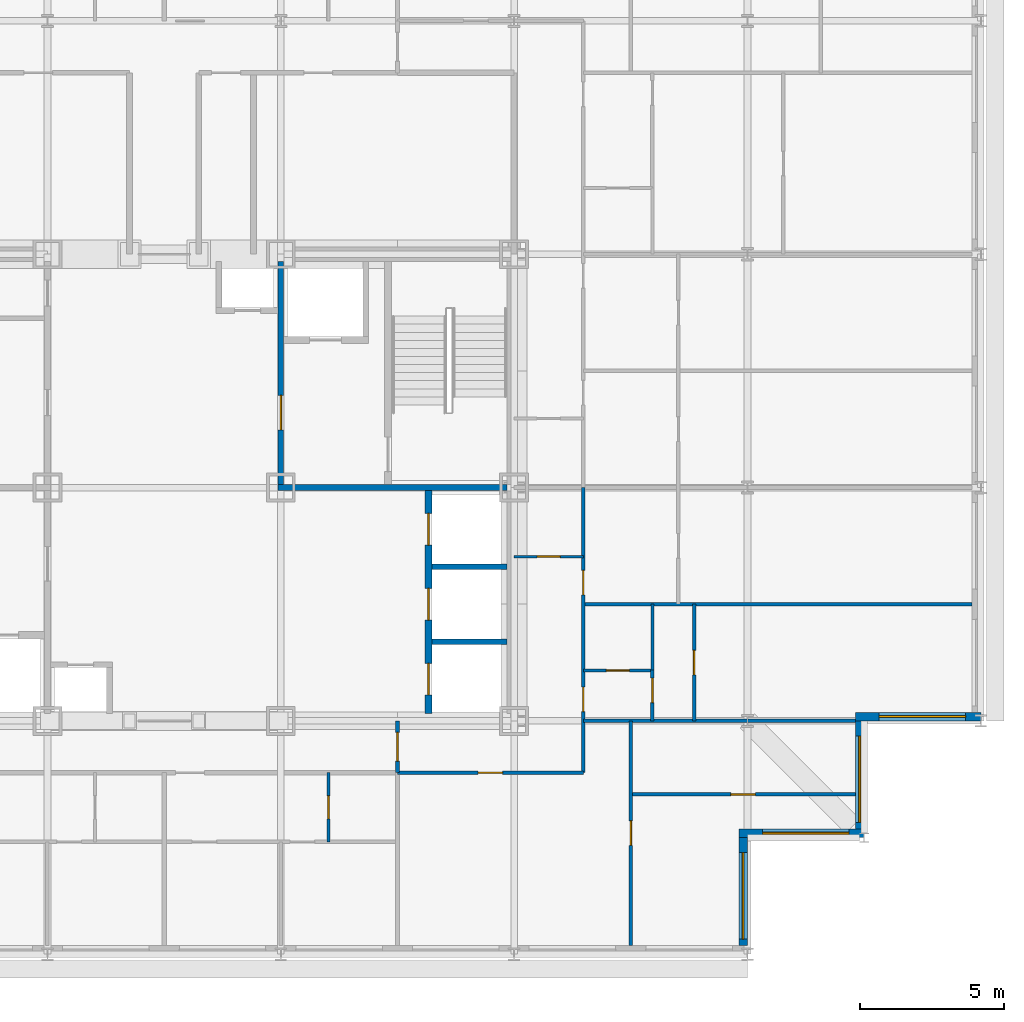
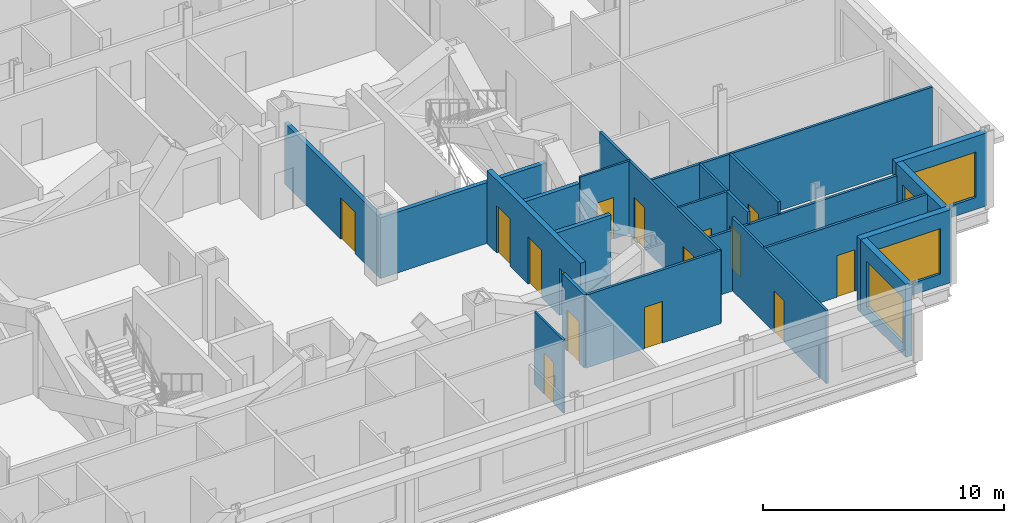
# One storey, part 10 of 16: 22 walls, 15 doors, 4 windows, 19 openings.
"""IFC4 building model written with IfcOpenShell, lengths in metres."""

from ifc_helpers import new_model, si_unit, direction, frame, frame_2d, origin, place, context, subcontext, project, spatial, rectangle, extrude, material, layer, layer_set, type_object, element, fill, save


model = new_model("IFC4")

# Units and contexts
model_context = context("Model", 3, precision=1e-05, world=origin(), true_north=direction((0.0, 1.0)))
body_context = subcontext(model_context, "Body", "Model", "MODEL_VIEW")
ifc_project = project(units=[si_unit("LENGTHUNIT", "METRE"), si_unit("AREAUNIT", "SQUARE_METRE"), si_unit("VOLUMEUNIT", "CUBIC_METRE"), si_unit("PLANEANGLEUNIT", "RADIAN"), si_unit("MASSUNIT", "GRAM", prefix="KILO")], contexts=[model_context])

# Site, building, storey
site_placement = place(None, origin())
site = spatial("IfcSite", under=ifc_project, at=site_placement, CompositionType="ELEMENT")
building_placement = place(site_placement, origin())
building = spatial("IfcBuilding", under=site, at=building_placement, Name="Kopane Lantern Tower", CompositionType="ELEMENT")
storey_placement = place(building_placement, frame((0.0, 0.0, 258.0)))
storey = spatial("IfcBuildingStorey", under=building, at=storey_placement, Name="L66", CompositionType="ELEMENT", Elevation=258.0)

# Wall, openings, doors
ifc_material_1 = material(Name="Gypsum board on steel studs", Category="steel")
ifc_layer_1 = layer(ifc_material_1, 0.1201171875)
ifc_layer_set_1 = layer_set([ifc_layer_1], Name="APARTMENT INTERNAL WALL 120")
wall_type_1 = type_object("IfcWallType", Name="APARTMENT INTERNAL WALL 120", PredefinedType="PARTITIONING", material=ifc_layer_set_1)
wall_1_placement = place(storey_placement, frame((42.89990234375, 22.5, 0.0), z_axis=(0.0, 0.0, 1.0), x_axis=(0.0, 1.0, 0.0)))
wall_1 = element("IfcWall", 1, at=wall_1_placement, inside=storey, type_object=wall_type_1, Name="Apartment Internal Wall 120 L66", PredefinedType="PARTITIONING", context=body_context, shape_type="SweptSolid", body=[
    extrude(rectangle(XDim=9.89990234375, YDim=0.1201171875, at=frame_2d((4.949951171875, 0.0))), origin(), (0.0, 0.0, 1.0), 3.68994140625),
])
opening_1_placement = place(wall_1_placement, frame((2.125, 0.0, 0.0)))
opening_1 = element("IfcOpeningElement", 2, at=opening_1_placement, cuts=wall_1, Name="Opening L66-053", PredefinedType="OPENING", context=body_context, shape_type="SweptSolid", body=[
    extrude(rectangle(XDim=0.85009765625, YDim=2.10009765625, at=frame_2d((0.425048828125, 1.050048828125))), frame((0.0, 0.070068359375, 0.0), z_axis=(0.0, -1.0, 0.0), x_axis=(1.0, 0.0, 0.0)), (0.0, 0.0, 1.0), 0.14013671875),
])
opening_2_placement = place(wall_1_placement, frame((6.175048828125, 0.0, 0.0)))
opening_2 = element("IfcOpeningElement", 3, at=opening_2_placement, cuts=wall_1, Name="Opening L66-054", PredefinedType="OPENING", context=body_context, shape_type="SweptSolid", body=[
    extrude(rectangle(XDim=0.85009765625, YDim=2.10009765625, at=frame_2d((0.425048828125, 1.050048828125))), frame((0.0, 0.070068359375, 0.0), z_axis=(0.0, -1.0, 0.0), x_axis=(1.0, 0.0, 0.0)), (0.0, 0.0, 1.0), 0.14013671875),
])
ifc_material_2 = material(Name="Timber door set", Category="wood")
door_type_1 = type_object("IfcDoorType", Name="DOOR D4 850x2100", OperationType="SINGLE_SWING_LEFT", PredefinedType="DOOR", material=ifc_material_2)
door_1_placement = place(opening_1_placement, origin())
door_1 = element("IfcDoor", 4, at=door_1_placement, inside=storey, type_object=door_type_1, Name="Door L66-053", OperationType="SINGLE_SWING_RIGHT", OverallHeight=2.10009765625, OverallWidth=0.85009765625, PredefinedType="DOOR", context=body_context, shape_type="SweptSolid", body=[
    extrude(rectangle(XDim=0.85009765625, YDim=2.10009765625, at=frame_2d((0.425048828125, 1.050048828125))), frame((0.0, 0.02490234375, 0.0), z_axis=(0.0, -1.0, 0.0), x_axis=(1.0, 0.0, 0.0)), (0.0, 0.0, 1.0), 0.050048828125),
])
fill(opening_1, door_1)
door_2_placement = place(opening_2_placement, origin())
door_2 = element("IfcDoor", 5, at=door_2_placement, inside=storey, type_object=door_type_1, Name="Door L66-054", OperationType="SINGLE_SWING_RIGHT", OverallHeight=2.10009765625, OverallWidth=0.85009765625, PredefinedType="DOOR", context=body_context, shape_type="SweptSolid", body=[
    extrude(rectangle(XDim=0.85009765625, YDim=2.10009765625, at=frame_2d((0.425048828125, 1.050048828125))), frame((0.0, 0.02490234375, 0.0), z_axis=(0.0, -1.0, 0.0), x_axis=(1.0, 0.0, 0.0)), (0.0, 0.0, 1.0), 0.050048828125),
])
fill(opening_2, door_2)

# Wall, opening, door
wall_2_placement = place(storey_placement, frame((36.449951171875, 22.5, 0.0), z_axis=(0.0, 0.0, 1.0), x_axis=(1.0, 0.0, 0.0)))
wall_2 = element("IfcWall", 6, at=wall_2_placement, inside=storey, type_object=wall_type_1, Name="Apartment Internal Wall 120 L66", PredefinedType="PARTITIONING", context=body_context, shape_type="SweptSolid", body=[
    extrude(rectangle(XDim=6.449951171875, YDim=0.1201171875, at=frame_2d((3.22509765625, 0.0))), origin(), (0.0, 0.0, 1.0), 3.68994140625),
])
opening_3_placement = place(wall_2_placement, frame((2.800048828125, 0.0, 0.0)))
opening_3 = element("IfcOpeningElement", 7, at=opening_3_placement, cuts=wall_2, Name="Opening L66-050", PredefinedType="OPENING", context=body_context, shape_type="SweptSolid", body=[
    extrude(rectangle(XDim=0.85009765625, YDim=2.10009765625, at=frame_2d((0.425048828125, 1.050048828125))), frame((0.0, 0.070068359375, 0.0), z_axis=(0.0, -1.0, 0.0), x_axis=(1.0, 0.0, 0.0)), (0.0, 0.0, 1.0), 0.14013671875),
])
door_3_placement = place(opening_3_placement, origin())
door_3 = element("IfcDoor", 8, at=door_3_placement, inside=storey, type_object=door_type_1, Name="Door L66-050", OperationType="SINGLE_SWING_RIGHT", OverallHeight=2.10009765625, OverallWidth=0.85009765625, PredefinedType="DOOR", context=body_context, shape_type="SweptSolid", body=[
    extrude(rectangle(XDim=0.85009765625, YDim=2.10009765625, at=frame_2d((0.425048828125, 1.050048828125))), frame((0.0, 0.02490234375, 0.0), z_axis=(0.0, -1.0, 0.0), x_axis=(1.0, 0.0, 0.0)), (0.0, 0.0, 1.0), 0.050048828125),
])
fill(opening_3, door_3)

# Wall
wall_3_placement = place(storey_placement, frame((42.89990234375, 24.300048828125, 0.0), z_axis=(0.0, 0.0, 1.0), x_axis=(1.0, 0.0, 0.0)))
element("IfcWall", 9, at=wall_3_placement, inside=storey, type_object=wall_type_1, Name="Apartment Internal Wall 120 L66", PredefinedType="PARTITIONING", context=body_context, shape_type="SweptSolid", body=[
    extrude(rectangle(XDim=9.4501953125, YDim=0.1201171875, at=frame_2d((4.72509765625, 0.0))), origin(), (0.0, 0.0, 1.0), 3.077880859375),
])

# Wall, opening, door
wall_4_placement = place(storey_placement, frame((44.550048828125, 16.5, 0.0), z_axis=(0.0, 0.0, 1.0), x_axis=(0.0, 1.0, 0.0)))
wall_4 = element("IfcWall", 10, at=wall_4_placement, inside=storey, type_object=wall_type_1, Name="Apartment Internal Wall 120 L66", PredefinedType="PARTITIONING", context=body_context, shape_type="SweptSolid", body=[
    extrude(rectangle(XDim=7.800048828125, YDim=0.1201171875, at=frame_2d((3.89990234375, 0.0))), origin(), (0.0, 0.0, 1.0), 3.68994140625),
])
opening_4_placement = place(wall_4_placement, frame((3.47509765625, 0.0, 0.0)))
opening_4 = element("IfcOpeningElement", 11, at=opening_4_placement, cuts=wall_4, Name="Opening L66-051", PredefinedType="OPENING", context=body_context, shape_type="SweptSolid", body=[
    extrude(rectangle(XDim=0.85009765625, YDim=2.10009765625, at=frame_2d((0.425048828125, 1.050048828125))), frame((0.0, 0.070068359375, 0.0), z_axis=(0.0, -1.0, 0.0), x_axis=(1.0, 0.0, 0.0)), (0.0, 0.0, 1.0), 0.14013671875),
])
door_4_placement = place(opening_4_placement, origin())
door_4 = element("IfcDoor", 12, at=door_4_placement, inside=storey, type_object=door_type_1, Name="Door L66-051", OperationType="SINGLE_SWING_LEFT", OverallHeight=2.10009765625, OverallWidth=0.85009765625, PredefinedType="DOOR", context=body_context, shape_type="SweptSolid", body=[
    extrude(rectangle(XDim=0.85009765625, YDim=2.10009765625, at=frame_2d((0.425048828125, 1.050048828125))), frame((0.0, 0.02490234375, 0.0), z_axis=(0.0, -1.0, 0.0), x_axis=(1.0, 0.0, 0.0)), (0.0, 0.0, 1.0), 0.050048828125),
])
fill(opening_4, door_4)

# Wall
wall_5_placement = place(storey_placement, frame((42.89990234375, 28.35009765625, 0.0), z_axis=(0.0, 0.0, 1.0), x_axis=(1.0, 0.0, 0.0)))
element("IfcWall", 13, at=wall_5_placement, inside=storey, type_object=wall_type_1, Name="Apartment Internal Wall 120 L66", PredefinedType="PARTITIONING", context=body_context, shape_type="SweptSolid", body=[
    extrude(rectangle(XDim=13.5, YDim=0.1201171875, at=frame_2d((6.75, 0.0))), origin(), (0.0, 0.0, 1.0), 3.68994140625),
])

# Wall, opening, door
wall_6_placement = place(storey_placement, frame((45.300048828125, 24.300048828125, 0.0), z_axis=(0.0, 0.0, 1.0), x_axis=(0.0, 1.0, 0.0)))
wall_6 = element("IfcWall", 14, at=wall_6_placement, inside=storey, type_object=wall_type_1, Name="Apartment Internal Wall 120 L66", PredefinedType="PARTITIONING", context=body_context, shape_type="SweptSolid", body=[
    extrude(rectangle(XDim=1.760009765625, YDim=0.1201171875, at=frame_2d((0.8798828125, 0.0))), origin(), (0.0, 0.0, 1.0), 3.68994140625),
])
opening_5_placement = place(wall_6_placement, frame((0.635009765625, 0.0, 0.0)))
opening_5 = element("IfcOpeningElement", 15, at=opening_5_placement, cuts=wall_6, Name="Opening L66-067", PredefinedType="OPENING", context=body_context, shape_type="SweptSolid", body=[
    extrude(rectangle(XDim=0.85009765625, YDim=2.10009765625, at=frame_2d((0.425048828125, 1.050048828125))), frame((0.0, 0.070068359375, 0.0), z_axis=(0.0, -1.0, 0.0), x_axis=(1.0, 0.0, 0.0)), (0.0, 0.0, 1.0), 0.14013671875),
])
door_5_placement = place(opening_5_placement, origin())
door_5 = element("IfcDoor", 16, at=door_5_placement, inside=storey, type_object=door_type_1, Name="Door L66-067", OperationType="SINGLE_SWING_RIGHT", OverallHeight=2.10009765625, OverallWidth=0.85009765625, PredefinedType="DOOR", context=body_context, shape_type="SweptSolid", body=[
    extrude(rectangle(XDim=0.85009765625, YDim=2.10009765625, at=frame_2d((0.425048828125, 1.050048828125))), frame((0.0, 0.02490234375, 0.0), z_axis=(0.0, -1.0, 0.0), x_axis=(1.0, 0.0, 0.0)), (0.0, 0.0, 1.0), 0.050048828125),
])
fill(opening_5, door_5)

wall_7_placement = place(storey_placement, frame((44.550048828125, 21.75, 0.0), z_axis=(0.0, 0.0, 1.0), x_axis=(1.0, 0.0, 0.0)))
wall_7 = element("IfcWall", 17, at=wall_7_placement, inside=storey, type_object=wall_type_1, Name="Apartment Internal Wall 120 L66", PredefinedType="PARTITIONING", context=body_context, shape_type="SweptSolid", body=[
    extrude(rectangle(XDim=7.800048828125, YDim=0.1201171875, at=frame_2d((3.89990234375, 0.0))), origin(), (0.0, 0.0, 1.0), 3.68994140625),
])
opening_6_placement = place(wall_7_placement, frame((3.47509765625, 0.0, 0.0)))
opening_6 = element("IfcOpeningElement", 18, at=opening_6_placement, cuts=wall_7, Name="Opening L66-076", PredefinedType="OPENING", context=body_context, shape_type="SweptSolid", body=[
    extrude(rectangle(XDim=0.85009765625, YDim=2.10009765625, at=frame_2d((0.425048828125, 1.050048828125))), frame((0.0, 0.070068359375, 0.0), z_axis=(0.0, -1.0, 0.0), x_axis=(1.0, 0.0, 0.0)), (0.0, 0.0, 1.0), 0.14013671875),
])
door_6_placement = place(opening_6_placement, origin())
door_6 = element("IfcDoor", 19, at=door_6_placement, inside=storey, type_object=door_type_1, Name="Door L66-076", OperationType="SINGLE_SWING_LEFT", OverallHeight=2.10009765625, OverallWidth=0.85009765625, PredefinedType="DOOR", context=body_context, shape_type="SweptSolid", body=[
    extrude(rectangle(XDim=0.85009765625, YDim=2.10009765625, at=frame_2d((0.425048828125, 1.050048828125))), frame((0.0, 0.02490234375, 0.0), z_axis=(0.0, -1.0, 0.0), x_axis=(1.0, 0.0, 0.0)), (0.0, 0.0, 1.0), 0.050048828125),
])
fill(opening_6, door_6)

wall_8_placement = place(storey_placement, frame((46.75, 24.300048828125, 0.0), z_axis=(0.0, 0.0, 1.0), x_axis=(0.0, 1.0, 0.0)))
wall_8 = element("IfcWall", 20, at=wall_8_placement, inside=storey, type_object=wall_type_1, Name="Apartment Internal Wall 120 L66", PredefinedType="PARTITIONING", context=body_context, shape_type="SweptSolid", body=[
    extrude(rectangle(XDim=4.050048828125, YDim=0.1201171875, at=frame_2d((2.02490234375, 0.0))), origin(), (0.0, 0.0, 1.0), 3.68994140625),
])
opening_7_placement = place(wall_8_placement, frame((1.60009765625, 0.0, 0.0)))
opening_7 = element("IfcOpeningElement", 21, at=opening_7_placement, cuts=wall_8, Name="Opening L66-077", PredefinedType="OPENING", context=body_context, shape_type="SweptSolid", body=[
    extrude(rectangle(XDim=0.85009765625, YDim=2.10009765625, at=frame_2d((0.425048828125, 1.050048828125))), frame((0.0, 0.070068359375, 0.0), z_axis=(0.0, -1.0, 0.0), x_axis=(1.0, 0.0, 0.0)), (0.0, 0.0, 1.0), 0.14013671875),
])
door_7_placement = place(opening_7_placement, origin())
door_7 = element("IfcDoor", 22, at=door_7_placement, inside=storey, type_object=door_type_1, Name="Door L66-077", OperationType="SINGLE_SWING_LEFT", OverallHeight=2.10009765625, OverallWidth=0.85009765625, PredefinedType="DOOR", context=body_context, shape_type="SweptSolid", body=[
    extrude(rectangle(XDim=0.85009765625, YDim=2.10009765625, at=frame_2d((0.425048828125, 1.050048828125))), frame((0.0, 0.02490234375, 0.0), z_axis=(0.0, -1.0, 0.0), x_axis=(1.0, 0.0, 0.0)), (0.0, 0.0, 1.0), 0.050048828125),
])
fill(opening_7, door_7)

ifc_material_3 = material(Name="Moisture-resistant board on steel studs", Category="steel")
ifc_layer_2 = layer(ifc_material_3, 0.10009765625)
ifc_layer_set_2 = layer_set([ifc_layer_2], Name="BATHROOM WALL 100")
wall_type_2 = type_object("IfcWallType", Name="BATHROOM WALL 100", PredefinedType="PARTITIONING", material=ifc_layer_set_2)
wall_9_placement = place(storey_placement, frame((34.050048828125, 22.5, 0.0), z_axis=(0.0, 0.0, 1.0), x_axis=(0.0, -1.0, 0.0)))
wall_9 = element("IfcWall", 23, at=wall_9_placement, inside=storey, type_object=wall_type_2, Name="Bathroom Wall 100 L66", PredefinedType="PARTITIONING", context=body_context, shape_type="SweptSolid", body=[
    extrude(rectangle(XDim=2.39990234375, YDim=0.10009765625, at=frame_2d((1.199951171875, 0.0))), origin(), (0.0, 0.0, 1.0), 3.68994140625),
])
opening_8_placement = place(wall_9_placement, frame((0.800048828125, 0.0, 0.0)))
opening_8 = element("IfcOpeningElement", 24, at=opening_8_placement, cuts=wall_9, Name="Opening L66-017", PredefinedType="OPENING", context=body_context, shape_type="SweptSolid", body=[
    extrude(rectangle(XDim=0.800048828125, YDim=2.10009765625, at=frame_2d((0.39990234375, 1.050048828125))), frame((0.0, 0.06005859375, 0.0), z_axis=(0.0, -1.0, 0.0), x_axis=(1.0, 0.0, 0.0)), (0.0, 0.0, 1.0), 0.1201171875),
])
ifc_material_4 = material(Name="Timber door set", Category="wood")
door_type_2 = type_object("IfcDoorType", Name="DOOR D2 800x2100", OperationType="SINGLE_SWING_LEFT", PredefinedType="DOOR", material=ifc_material_4)
door_8_placement = place(opening_8_placement, origin())
door_8 = element("IfcDoor", 25, at=door_8_placement, inside=storey, type_object=door_type_2, Name="Door L66-017", OperationType="SINGLE_SWING_LEFT", OverallHeight=2.10009765625, OverallWidth=0.800048828125, PredefinedType="DOOR", context=body_context, shape_type="SweptSolid", body=[
    extrude(rectangle(XDim=0.800048828125, YDim=2.10009765625, at=frame_2d((0.39990234375, 1.050048828125))), frame((0.0, 0.02490234375, 0.0), z_axis=(0.0, -1.0, 0.0), x_axis=(1.0, 0.0, 0.0)), (0.0, 0.0, 1.0), 0.050048828125),
])
fill(opening_8, door_8)

wall_10_placement = place(storey_placement, frame((40.5, 30.0, 0.0), z_axis=(0.0, 0.0, 1.0), x_axis=(1.0, 0.0, 0.0)))
wall_10 = element("IfcWall", 26, at=wall_10_placement, inside=storey, type_object=wall_type_2, Name="Bathroom Wall 100 L66", PredefinedType="PARTITIONING", context=body_context, shape_type="SweptSolid", body=[
    extrude(rectangle(XDim=2.39990234375, YDim=0.10009765625, at=frame_2d((1.199951171875, 0.0))), origin(), (0.0, 0.0, 1.0), 3.68994140625),
])
opening_9_placement = place(wall_10_placement, frame((0.800048828125, 0.0, 0.0)))
opening_9 = element("IfcOpeningElement", 27, at=opening_9_placement, cuts=wall_10, Name="Opening L66-049", PredefinedType="OPENING", context=body_context, shape_type="SweptSolid", body=[
    extrude(rectangle(XDim=0.800048828125, YDim=2.10009765625, at=frame_2d((0.39990234375, 1.050048828125))), frame((0.0, 0.06005859375, 0.0), z_axis=(0.0, -1.0, 0.0), x_axis=(1.0, 0.0, 0.0)), (0.0, 0.0, 1.0), 0.1201171875),
])
door_9_placement = place(opening_9_placement, origin())
door_9 = element("IfcDoor", 28, at=door_9_placement, inside=storey, type_object=door_type_2, Name="Door L66-049", OperationType="SINGLE_SWING_LEFT", OverallHeight=2.10009765625, OverallWidth=0.800048828125, PredefinedType="DOOR", context=body_context, shape_type="SweptSolid", body=[
    extrude(rectangle(XDim=0.800048828125, YDim=2.10009765625, at=frame_2d((0.39990234375, 1.050048828125))), frame((0.0, 0.02490234375, 0.0), z_axis=(0.0, -1.0, 0.0), x_axis=(1.0, 0.0, 0.0)), (0.0, 0.0, 1.0), 0.050048828125),
])
fill(opening_9, door_9)

wall_11_placement = place(storey_placement, frame((42.89990234375, 26.050048828125, 0.0), z_axis=(0.0, 0.0, 1.0), x_axis=(1.0, 0.0, 0.0)))
wall_11 = element("IfcWall", 29, at=wall_11_placement, inside=storey, type_object=wall_type_2, Name="Bathroom Wall 100 L66", PredefinedType="PARTITIONING", context=body_context, shape_type="SweptSolid", body=[
    extrude(rectangle(XDim=2.400146484375, YDim=0.10009765625, at=frame_2d((1.2001953125, 0.0))), origin(), (0.0, 0.0, 1.0), 3.68994140625),
])
opening_10_placement = place(wall_11_placement, frame((0.800048828125, 0.0, 0.0)))
opening_10 = element("IfcOpeningElement", 30, at=opening_10_placement, cuts=wall_11, Name="Opening L66-052", PredefinedType="OPENING", context=body_context, shape_type="SweptSolid", body=[
    extrude(rectangle(XDim=0.800048828125, YDim=2.10009765625, at=frame_2d((0.39990234375, 1.050048828125))), frame((0.0, 0.06005859375, 0.0), z_axis=(0.0, -1.0, 0.0), x_axis=(1.0, 0.0, 0.0)), (0.0, 0.0, 1.0), 0.1201171875),
])
door_10_placement = place(opening_10_placement, origin())
door_10 = element("IfcDoor", 31, at=door_10_placement, inside=storey, type_object=door_type_2, Name="Door L66-052", OperationType="SINGLE_SWING_LEFT", OverallHeight=2.10009765625, OverallWidth=0.800048828125, PredefinedType="DOOR", context=body_context, shape_type="SweptSolid", body=[
    extrude(rectangle(XDim=0.800048828125, YDim=2.10009765625, at=frame_2d((0.39990234375, 1.050048828125))), frame((0.0, 0.02490234375, 0.0), z_axis=(0.0, -1.0, 0.0), x_axis=(1.0, 0.0, 0.0)), (0.0, 0.0, 1.0), 0.050048828125),
])
fill(opening_10, door_10)

# Wall
wall_12_placement = place(storey_placement, frame((45.300048828125, 26.050048828125, 0.0), z_axis=(0.0, 0.0, 1.0), x_axis=(0.0, 1.0, 0.0)))
element("IfcWall", 32, at=wall_12_placement, inside=storey, type_object=wall_type_2, Name="Bathroom Wall 100 L66", PredefinedType="PARTITIONING", context=body_context, shape_type="SweptSolid", body=[
    extrude(rectangle(XDim=2.300048828125, YDim=0.10009765625, at=frame_2d((1.14990234375, 0.0))), origin(), (0.0, 0.0, 1.0), 3.68994140625),
])

# Wall, openings, doors
ifc_material_5 = material(Name="Gypsum shaft wall EI 120", Category="gypsum")
ifc_layer_3 = layer(ifc_material_5, 0.25)
ifc_layer_set_3 = layer_set([ifc_layer_3], Name="CORE SHAFT WALL 250 EI 120")
wall_type_3 = type_object("IfcWallType", Name="CORE SHAFT WALL 250 EI 120", PredefinedType="SOLIDWALL", material=ifc_layer_set_3)
wall_13_placement = place(storey_placement, frame((37.52490234375, 24.550048828125, 0.0), z_axis=(0.0, 0.0, 1.0), x_axis=(0.0, 1.0, 0.0)))
wall_13 = element("IfcWall", 33, at=wall_13_placement, inside=storey, type_object=wall_type_3, Name="Core shaft wall L66 XLR", PredefinedType="SOLIDWALL", context=body_context, shape_type="SweptSolid", body=[
    extrude(rectangle(XDim=7.75, YDim=0.25, at=frame_2d((3.875, 0.0))), origin(), (0.0, 0.0, 1.0), 3.68994140625),
])
opening_11_placement = place(wall_13_placement, frame((0.64990234375, 0.0, 0.0)))
opening_11 = element("IfcOpeningElement", 34, at=opening_11_placement, cuts=wall_13, Name="Opening 66.LD-LR1", PredefinedType="OPENING", context=body_context, shape_type="SweptSolid", body=[
    extrude(rectangle(XDim=1.10009765625, YDim=2.39990234375, at=frame_2d((0.550048828125, 1.199951171875))), frame((0.0, 0.135009765625, 0.0), z_axis=(0.0, -1.0, 0.0), x_axis=(1.0, 0.0, 0.0)), (0.0, 0.0, 1.0), 0.27001953125),
])
opening_12_placement = place(wall_13_placement, frame((3.25, 0.0, 0.0)))
opening_12 = element("IfcOpeningElement", 35, at=opening_12_placement, cuts=wall_13, Name="Opening 66.LD-LR2", PredefinedType="OPENING", context=body_context, shape_type="SweptSolid", body=[
    extrude(rectangle(XDim=1.10009765625, YDim=2.39990234375, at=frame_2d((0.550048828125, 1.199951171875))), frame((0.0, 0.135009765625, 0.0), z_axis=(0.0, -1.0, 0.0), x_axis=(1.0, 0.0, 0.0)), (0.0, 0.0, 1.0), 0.27001953125),
])
opening_13_placement = place(wall_13_placement, frame((5.85009765625, 0.0, 0.0)))
opening_13 = element("IfcOpeningElement", 36, at=opening_13_placement, cuts=wall_13, Name="Opening 66.LD-LR3", PredefinedType="OPENING", context=body_context, shape_type="SweptSolid", body=[
    extrude(rectangle(XDim=1.10009765625, YDim=2.39990234375, at=frame_2d((0.550048828125, 1.199951171875))), frame((0.0, 0.135009765625, 0.0), z_axis=(0.0, -1.0, 0.0), x_axis=(1.0, 0.0, 0.0)), (0.0, 0.0, 1.0), 0.27001953125),
])
ifc_material_6 = material(Name="Steel door set", Category="steel")
door_type_3 = type_object("IfcDoorType", Name="LIFT LANDING DOOR 1100x2400 FD60", OperationType="DOUBLE_DOOR_SLIDING", PredefinedType="DOOR", material=ifc_material_6)
door_11_placement = place(opening_11_placement, origin())
door_11 = element("IfcDoor", 37, at=door_11_placement, inside=storey, type_object=door_type_3, Name="Landing door LR1 L66", OperationType="DOUBLE_DOOR_SLIDING", OverallHeight=2.39990234375, OverallWidth=1.10009765625, PredefinedType="DOOR", context=body_context, shape_type="SweptSolid", body=[
    extrude(rectangle(XDim=1.10009765625, YDim=2.39990234375, at=frame_2d((0.550048828125, 1.199951171875))), frame((0.0, 0.02490234375, 0.0), z_axis=(0.0, -1.0, 0.0), x_axis=(1.0, 0.0, 0.0)), (0.0, 0.0, 1.0), 0.050048828125),
])
fill(opening_11, door_11)
door_12_placement = place(opening_12_placement, origin())
door_12 = element("IfcDoor", 38, at=door_12_placement, inside=storey, type_object=door_type_3, Name="Landing door LR2 L66", OperationType="DOUBLE_DOOR_SLIDING", OverallHeight=2.39990234375, OverallWidth=1.10009765625, PredefinedType="DOOR", context=body_context, shape_type="SweptSolid", body=[
    extrude(rectangle(XDim=1.10009765625, YDim=2.39990234375, at=frame_2d((0.550048828125, 1.199951171875))), frame((0.0, 0.02490234375, 0.0), z_axis=(0.0, -1.0, 0.0), x_axis=(1.0, 0.0, 0.0)), (0.0, 0.0, 1.0), 0.050048828125),
])
fill(opening_12, door_12)
door_13_placement = place(opening_13_placement, origin())
door_13 = element("IfcDoor", 39, at=door_13_placement, inside=storey, type_object=door_type_3, Name="Landing door LR3 L66", OperationType="DOUBLE_DOOR_SLIDING", OverallHeight=2.39990234375, OverallWidth=1.10009765625, PredefinedType="DOOR", context=body_context, shape_type="SweptSolid", body=[
    extrude(rectangle(XDim=1.10009765625, YDim=2.39990234375, at=frame_2d((0.550048828125, 1.199951171875))), frame((0.0, 0.02490234375, 0.0), z_axis=(0.0, -1.0, 0.0), x_axis=(1.0, 0.0, 0.0)), (0.0, 0.0, 1.0), 0.050048828125),
])
fill(opening_13, door_13)

# Wall, opening, door
ifc_material_7 = material(Name="Gypsum board on steel studs", Category="steel")
ifc_layer_4 = layer(ifc_material_7, 0.14990234375)
ifc_layer_set_4 = layer_set([ifc_layer_4], Name="CORRIDOR WALL 150 EI 60")
wall_type_4 = type_object("IfcWallType", Name="CORRIDOR WALL 150 EI 60", PredefinedType="PARTITIONING", material=ifc_layer_set_4)
wall_14_placement = place(storey_placement, frame((36.449951171875, 22.5, 0.0), z_axis=(0.0, 0.0, 1.0), x_axis=(0.0, 1.0, 0.0)))
wall_14 = element("IfcWall", 40, at=wall_14_placement, inside=storey, type_object=wall_type_4, Name="Corridor Wall 150 Ei 60 L66", PredefinedType="PARTITIONING", context=body_context, shape_type="SweptSolid", body=[
    extrude(rectangle(XDim=1.800048828125, YDim=0.14990234375, at=frame_2d((0.89990234375, 0.0))), origin(), (0.0, 0.0, 1.0), 3.68994140625),
])
opening_14_placement = place(wall_14_placement, frame((0.39990234375, 0.0, 0.0)))
opening_14 = element("IfcOpeningElement", 41, at=opening_14_placement, cuts=wall_14, Name="Opening L66-048", PredefinedType="OPENING", context=body_context, shape_type="SweptSolid", body=[
    extrude(rectangle(XDim=1.0, YDim=2.10009765625, at=frame_2d((0.5, 1.050048828125))), frame((0.0, 0.0849609375, 0.0), z_axis=(0.0, -1.0, 0.0), x_axis=(1.0, 0.0, 0.0)), (0.0, 0.0, 1.0), 0.169921875),
])
ifc_material_8 = material(Name="Steel door set", Category="steel")
door_type_4 = type_object("IfcDoorType", Name="DOOR D3 1000x2100 FD30S", OperationType="SINGLE_SWING_LEFT", PredefinedType="DOOR", material=ifc_material_8)
door_14_placement = place(opening_14_placement, origin())
door_14 = element("IfcDoor", 42, at=door_14_placement, inside=storey, type_object=door_type_4, Name="Door L66-048", OperationType="SINGLE_SWING_RIGHT", OverallHeight=2.10009765625, OverallWidth=1.0, PredefinedType="DOOR", context=body_context, shape_type="SweptSolid", body=[
    extrude(rectangle(XDim=1.0, YDim=2.10009765625, at=frame_2d((0.5, 1.050048828125))), frame((0.0, 0.02490234375, 0.0), z_axis=(0.0, -1.0, 0.0), x_axis=(1.0, 0.0, 0.0)), (0.0, 0.0, 1.0), 0.050048828125),
])
fill(opening_14, door_14)

# Wall, opening, window
ifc_material_9 = material(Name="Terracotta rainscreen on light steel framing", Category="masonry")
ifc_layer_5 = layer(ifc_material_9, 0.300048828125)
ifc_layer_set_5 = layer_set([ifc_layer_5], Name="EXTERNAL WALL EW1 300 TERRACOTTA")
wall_type_5 = type_object("IfcWallType", Name="EXTERNAL WALL EW1 300 TERRACOTTA", PredefinedType="SOLIDWALL", material=ifc_layer_set_5)
wall_15_placement = place(storey_placement, frame((48.449951171875, 16.5, 0.0), z_axis=(0.0, 0.0, 1.0), x_axis=(0.0, 1.0, 0.0)))
wall_15 = element("IfcWall", 43, at=wall_15_placement, inside=storey, type_object=wall_type_5, Name="External wall E L66", PredefinedType="SOLIDWALL", context=body_context, shape_type="SweptSolid", body=[
    extrude(rectangle(XDim=3.75, YDim=0.300048828125, at=frame_2d((1.875, 0.0))), origin(), (0.0, 0.0, 1.0), 3.68994140625),
])
opening_15_placement = place(wall_15_placement, frame((0.22509765625, 0.0, 0.60009765625)))
opening_15 = element("IfcOpeningElement", 44, at=opening_15_placement, cuts=wall_15, Name="Opening WR300230", PredefinedType="OPENING", context=body_context, shape_type="SweptSolid", body=[
    extrude(rectangle(XDim=3.0, YDim=2.300048828125, at=frame_2d((1.5, 1.14990234375))), frame((0.0, 0.159912109375, 0.0), z_axis=(0.0, -1.0, 0.0), x_axis=(1.0, 0.0, 0.0)), (0.0, 0.0, 1.0), 0.320068359375),
])
ifc_material_10 = material(Name="Aluminium and clear glass", Category="aluminium")
window_type = type_object("IfcWindowType", Name="RIBBON WINDOW WR300230 3000x2300", PartitioningType="SINGLE_PANEL", PredefinedType="WINDOW", material=ifc_material_10)
window_1_placement = place(opening_15_placement, origin())
window_1 = element("IfcWindow", 45, at=window_1_placement, inside=storey, type_object=window_type, Name="Window E L66", OverallHeight=2.300048828125, OverallWidth=3.0, PartitioningType="SINGLE_PANEL", PredefinedType="WINDOW", context=body_context, shape_type="SweptSolid", body=[
    extrude(rectangle(XDim=3.0, YDim=2.300048828125, at=frame_2d((1.5, 1.14990234375))), frame((0.0, 0.030029296875, 0.0), z_axis=(0.0, -1.0, 0.0), x_axis=(1.0, 0.0, 0.0)), (0.0, 0.0, 1.0), 0.06005859375),
])
fill(opening_15, window_1)

wall_16_placement = place(storey_placement, frame((48.300048828125, 20.39990234375, 0.0), z_axis=(0.0, 0.0, 1.0), x_axis=(1.0, 0.0, 0.0)))
wall_16 = element("IfcWall", 46, at=wall_16_placement, inside=storey, type_object=wall_type_5, Name="External wall S L66", PredefinedType="SOLIDWALL", context=body_context, shape_type="SweptSolid", body=[
    extrude(rectangle(XDim=4.349853515625, YDim=0.300048828125, at=frame_2d((2.1748046875, 0.0))), origin(), (0.0, 0.0, 1.0), 3.68994140625),
])
opening_16_placement = place(wall_16_placement, frame((0.824951171875, 0.0, 0.60009765625)))
opening_16 = element("IfcOpeningElement", 47, at=opening_16_placement, cuts=wall_16, Name="Opening WR300230", PredefinedType="OPENING", context=body_context, shape_type="SweptSolid", body=[
    extrude(rectangle(XDim=3.0, YDim=2.300048828125, at=frame_2d((1.5, 1.14990234375))), frame((0.0, 0.159912109375, 0.0), z_axis=(0.0, -1.0, 0.0), x_axis=(1.0, 0.0, 0.0)), (0.0, 0.0, 1.0), 0.320068359375),
])
window_2_placement = place(opening_16_placement, origin())
window_2 = element("IfcWindow", 48, at=window_2_placement, inside=storey, type_object=window_type, Name="Window S L66", OverallHeight=2.300048828125, OverallWidth=3.0, PartitioningType="SINGLE_PANEL", PredefinedType="WINDOW", context=body_context, shape_type="SweptSolid", body=[
    extrude(rectangle(XDim=3.0, YDim=2.300048828125, at=frame_2d((1.5, 1.14990234375))), frame((0.0, 0.030029296875, 0.0), z_axis=(0.0, -1.0, 0.0), x_axis=(1.0, 0.0, 0.0)), (0.0, 0.0, 1.0), 0.06005859375),
])
fill(opening_16, window_2)

wall_17_placement = place(storey_placement, frame((52.5, 20.550048828125, 0.0), z_axis=(0.0, 0.0, 1.0), x_axis=(0.0, 1.0, 0.0)))
wall_17 = element("IfcWall", 49, at=wall_17_placement, inside=storey, type_object=wall_type_5, Name="External wall E L66", PredefinedType="SOLIDWALL", context=body_context, shape_type="SweptSolid", body=[
    extrude(rectangle(XDim=3.75, YDim=0.300048828125, at=frame_2d((1.875, 0.0))), origin(), (0.0, 0.0, 1.0), 3.68994140625),
])
opening_17_placement = place(wall_17_placement, frame((0.22509765625, 0.0, 0.60009765625)))
opening_17 = element("IfcOpeningElement", 50, at=opening_17_placement, cuts=wall_17, Name="Opening WR300230", PredefinedType="OPENING", context=body_context, shape_type="SweptSolid", body=[
    extrude(rectangle(XDim=3.0, YDim=2.300048828125, at=frame_2d((1.5, 1.14990234375))), frame((0.0, 0.159912109375, 0.0), z_axis=(0.0, -1.0, 0.0), x_axis=(1.0, 0.0, 0.0)), (0.0, 0.0, 1.0), 0.320068359375),
])
window_3_placement = place(opening_17_placement, origin())
window_3 = element("IfcWindow", 51, at=window_3_placement, inside=storey, type_object=window_type, Name="Window E L66", OverallHeight=2.300048828125, OverallWidth=3.0, PartitioningType="SINGLE_PANEL", PredefinedType="WINDOW", context=body_context, shape_type="SweptSolid", body=[
    extrude(rectangle(XDim=3.0, YDim=2.300048828125, at=frame_2d((1.5, 1.14990234375))), frame((0.0, 0.030029296875, 0.0), z_axis=(0.0, -1.0, 0.0), x_axis=(1.0, 0.0, 0.0)), (0.0, 0.0, 1.0), 0.06005859375),
])
fill(opening_17, window_3)

wall_18_placement = place(storey_placement, frame((52.35009765625, 24.449951171875, 0.0), z_axis=(0.0, 0.0, 1.0), x_axis=(1.0, 0.0, 0.0)))
wall_18 = element("IfcWall", 52, at=wall_18_placement, inside=storey, type_object=wall_type_5, Name="External wall S L66", PredefinedType="SOLIDWALL", context=body_context, shape_type="SweptSolid", body=[
    extrude(rectangle(XDim=4.349853515625, YDim=0.300048828125, at=frame_2d((2.1748046875, 0.0))), origin(), (0.0, 0.0, 1.0), 3.68994140625),
])
opening_18_placement = place(wall_18_placement, frame((0.824951171875, 0.0, 0.60009765625)))
opening_18 = element("IfcOpeningElement", 53, at=opening_18_placement, cuts=wall_18, Name="Opening WR300230", PredefinedType="OPENING", context=body_context, shape_type="SweptSolid", body=[
    extrude(rectangle(XDim=3.0, YDim=2.300048828125, at=frame_2d((1.5, 1.14990234375))), frame((0.0, 0.159912109375, 0.0), z_axis=(0.0, -1.0, 0.0), x_axis=(1.0, 0.0, 0.0)), (0.0, 0.0, 1.0), 0.320068359375),
])
window_4_placement = place(opening_18_placement, origin())
window_4 = element("IfcWindow", 54, at=window_4_placement, inside=storey, type_object=window_type, Name="Window S L66", OverallHeight=2.300048828125, OverallWidth=3.0, PartitioningType="SINGLE_PANEL", PredefinedType="WINDOW", context=body_context, shape_type="SweptSolid", body=[
    extrude(rectangle(XDim=3.0, YDim=2.300048828125, at=frame_2d((1.5, 1.14990234375))), frame((0.0, 0.030029296875, 0.0), z_axis=(0.0, -1.0, 0.0), x_axis=(1.0, 0.0, 0.0)), (0.0, 0.0, 1.0), 0.06005859375),
])
fill(opening_18, window_4)

# Wall
ifc_material_11 = material(Name="Gypsum shaft wall EI 120", Category="gypsum")
ifc_layer_6 = layer(ifc_material_11, 0.199951171875)
ifc_layer_set_6 = layer_set([ifc_layer_6], Name="SHAFT WALL 200 EI 120")
wall_type_6 = type_object("IfcWallType", Name="SHAFT WALL 200 EI 120", PredefinedType="SOLIDWALL", material=ifc_layer_set_6)
wall_19_placement = place(storey_placement, frame((32.300048828125, 32.39990234375, 0.0), z_axis=(0.0, 0.0, 1.0), x_axis=(1.0, 0.0, 0.0)))
element("IfcWall", 55, at=wall_19_placement, inside=storey, type_object=wall_type_6, Name="Core shaft wall L66 Y324E", PredefinedType="SOLIDWALL", context=body_context, shape_type="SweptSolid", body=[
    extrude(rectangle(XDim=7.949951171875, YDim=0.199951171875, at=frame_2d((3.97509765625, 0.0))), origin(), (0.0, 0.0, 1.0), 3.077880859375),
])

# Wall, opening, door
wall_20_placement = place(storey_placement, frame((32.39990234375, 32.5, 0.0), z_axis=(0.0, 0.0, 1.0), x_axis=(0.0, 1.0, 0.0)))
wall_20 = element("IfcWall", 56, at=wall_20_placement, inside=storey, type_object=wall_type_6, Name="Core shaft wall L66 X324", PredefinedType="SOLIDWALL", context=body_context, shape_type="SweptSolid", body=[
    extrude(rectangle(XDim=7.75, YDim=0.199951171875, at=frame_2d((3.875, 0.0))), origin(), (0.0, 0.0, 1.0), 3.077880859375),
])
opening_19_placement = place(wall_20_placement, frame((1.89990234375, 0.0, 0.0)))
opening_19 = element("IfcOpeningElement", 57, at=opening_19_placement, cuts=wall_20, Name="Opening 66.FL2", PredefinedType="OPENING", context=body_context, shape_type="SweptSolid", body=[
    extrude(rectangle(XDim=1.199951171875, YDim=2.10009765625, at=frame_2d((0.60009765625, 1.050048828125))), frame((0.0, 0.10986328125, 0.0), z_axis=(0.0, -1.0, 0.0), x_axis=(1.0, 0.0, 0.0)), (0.0, 0.0, 1.0), 0.219970703125),
])
ifc_material_12 = material(Name="Steel door set", Category="steel")
door_type_5 = type_object("IfcDoorType", Name="FIREFIGHTING LOBBY DOOR 1200x2100 FD60S", OperationType="SINGLE_SWING_RIGHT", PredefinedType="DOOR", material=ifc_material_12)
door_15_placement = place(opening_19_placement, origin())
door_15 = element("IfcDoor", 58, at=door_15_placement, inside=storey, type_object=door_type_5, Name="Firefighting lobby door FL2 L66", OperationType="SINGLE_SWING_LEFT", OverallHeight=2.10009765625, OverallWidth=1.199951171875, PredefinedType="DOOR", context=body_context, shape_type="SweptSolid", body=[
    extrude(rectangle(XDim=1.199951171875, YDim=2.10009765625, at=frame_2d((0.60009765625, 1.050048828125))), frame((0.0, 0.02490234375, 0.0), z_axis=(0.0, -1.0, 0.0), x_axis=(1.0, 0.0, 0.0)), (0.0, 0.0, 1.0), 0.050048828125),
])
fill(opening_19, door_15)

# Walls
for number, where, z_axis, x_axis, name in (
    (59, (37.64990234375, 27.050048828125, 0.0), (0.0, 0.0, 1.0), (1.0, 0.0, 0.0), "Core shaft wall L66 YLR12"),
    (60, (37.64990234375, 29.64990234375, 0.0), (0.0, 0.0, 1.0), (1.0, 0.0, 0.0), "Core shaft wall L66 YLR23"),
):
    element("IfcWall", number, at=place(storey_placement, frame(where, z_axis=z_axis, x_axis=x_axis)), inside=storey, type_object=wall_type_6, Name=name, PredefinedType="SOLIDWALL", context=body_context, shape_type="SweptSolid", body=[
        extrude(rectangle(XDim=2.60009765625, YDim=0.199951171875, at=frame_2d((1.300048828125, 0.0))), origin(), (0.0, 0.0, 1.0), 3.68994140625),
    ])

save(model, "model.ifc")
